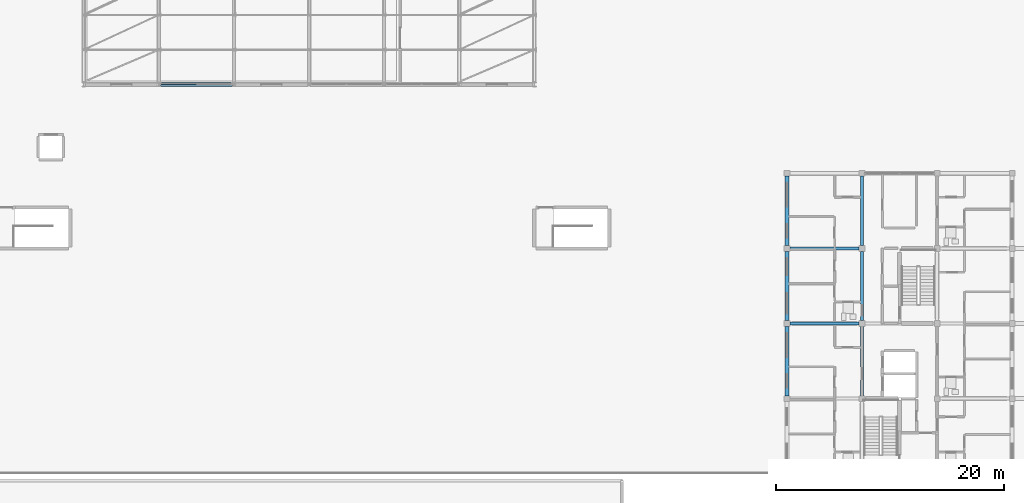
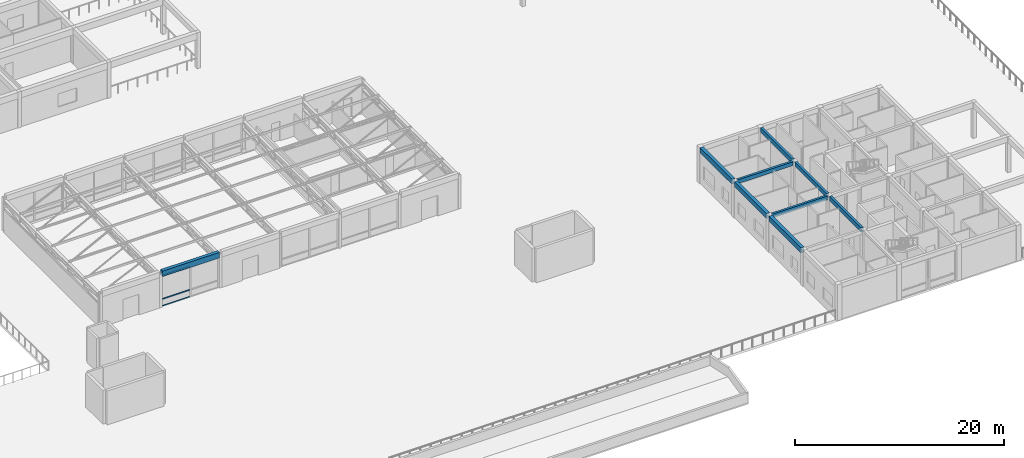
# One storey, part 21 of 92: 9 beams, 3 members, 1 element without a shape of its own.
"""IFC4 building model written with IfcOpenShell, lengths in metres."""

from ifc_helpers import new_model, si_unit, direction, frame, origin, origin_2d, place, context, subcontext, project, spatial, rectangle, hollow_rectangle, extrude, material, material_profile, profile_set, type_object, element, aggregate, save


model = new_model("IFC4")

# Units and contexts
model_context = context("Model", 3, precision=1e-05, world=origin(), true_north=direction((0.0, 1.0)))
body_context = subcontext(model_context, "Body", "Model", "MODEL_VIEW")
ifc_project = project(units=[si_unit("LENGTHUNIT", "METRE"), si_unit("AREAUNIT", "SQUARE_METRE"), si_unit("VOLUMEUNIT", "CUBIC_METRE"), si_unit("PLANEANGLEUNIT", "RADIAN"), si_unit("MASSUNIT", "GRAM", prefix="KILO")], contexts=[model_context])

# Site, building, storey
site_placement = place(None, origin())
site = spatial("IfcSite", under=ifc_project, at=site_placement, CompositionType="ELEMENT")
building_placement = place(site_placement, origin())
building = spatial("IfcBuilding", under=site, at=building_placement, Name="Kernevlak Ridge Housing Community", CompositionType="ELEMENT")
storey_placement = place(building_placement, frame((0.0, 0.0, 4.199951171875)))
storey = spatial("IfcBuildingStorey", under=building, at=storey_placement, Name="L01", CompositionType="ELEMENT", Elevation=4.199951171875)

# Beams
ifc_material_1 = material(Name="Concrete C35/45", Category="concrete")
ifc_material_profile_1 = material_profile(ifc_material_1, rectangle(XDim=0.35009765625, YDim=0.64990234375, at=origin_2d()), Name="RC 350x650")
ifc_profile_set_1 = profile_set([ifc_material_profile_1], Name="Concrete C35/45")
beam_type_1 = type_object("IfcBeamType", Name="B-02", PredefinedType="BEAM", material=ifc_profile_set_1)
beam_1_placement = place(storey_placement, frame((70.949951171875, 49.800048828125, 3.875), z_axis=(1.0, 0.0, 0.0), x_axis=(0.0, 1.0, 0.0)))
element("IfcBeam", 1, at=beam_1_placement, inside=storey, type_object=beam_type_1, Name="Beam B-02 L01 2408", PredefinedType="BEAM", context=body_context, shape_type="SweptSolid", body=[
    extrude(rectangle(XDim=0.35009765625, YDim=0.64990234375, at=origin_2d()), origin(), (0.0, 0.0, 1.0), 6.31005859375),
])
ifc_material_profile_2 = material_profile(ifc_material_1, rectangle(XDim=0.25, YDim=0.449951171875, at=origin_2d()), Name="RC 250x450")
ifc_profile_set_2 = profile_set([ifc_material_profile_2], Name="Concrete C35/45")
beam_type_2 = type_object("IfcBeamType", Name="B-04", PredefinedType="T_BEAM", material=ifc_profile_set_2)
for number, where, z_axis, x_axis, name in (
    (2, (126.25, 28.800048828125, 3.97509765625), (1.0, 0.0, 0.0), (0.0, 1.0, 0.0), "Beam B-04 L01 1038"),
    (3, (126.25, 35.39990234375, 3.97509765625), (1.0, 0.0, 0.0), (0.0, 1.0, 0.0), "Beam B-04 L01 1041"),
):
    element("IfcBeam", number, at=place(storey_placement, frame(where, z_axis=z_axis, x_axis=x_axis)), inside=storey, type_object=beam_type_2, Name=name, PredefinedType="T_BEAM", context=body_context, shape_type="SweptSolid", body=[
        extrude(rectangle(XDim=0.25, YDim=0.449951171875, at=origin_2d()), origin(), (0.0, 0.0, 1.0), 6.10009765625),
    ])
ifc_material_profile_3 = material_profile(ifc_material_1, rectangle(XDim=0.25, YDim=0.5, at=origin_2d()), Name="RC 250x500")
ifc_profile_set_3 = profile_set([ifc_material_profile_3], Name="Concrete C35/45")
beam_type_3 = type_object("IfcBeamType", Name="B-06", PredefinedType="T_BEAM", material=ifc_profile_set_3)
beam_2_placement = place(storey_placement, frame((132.60009765625, 22.449951171875, 3.949951171875), z_axis=(0.0, 1.0, 0.0), x_axis=(-1.0, 0.0, 0.0)))
element("IfcBeam", 4, at=beam_2_placement, inside=storey, type_object=beam_type_3, Name="Beam B-06 L01 1022", PredefinedType="T_BEAM", context=body_context, shape_type="SweptSolid", body=[
    extrude(rectangle(XDim=0.25, YDim=0.5, at=origin_2d()), origin(), (0.0, 0.0, 1.0), 6.10009765625),
])
beam_3_placement = place(storey_placement, frame((132.60009765625, 29.050048828125, 3.949951171875), z_axis=(0.0, 1.0, 0.0), x_axis=(-1.0, 0.0, 0.0)))
element("IfcBeam", 5, at=beam_3_placement, inside=storey, type_object=beam_type_3, Name="Beam B-06 L01 1023", PredefinedType="T_BEAM", context=body_context, shape_type="SweptSolid", body=[
    extrude(rectangle(XDim=0.25, YDim=0.5, at=origin_2d()), origin(), (0.0, 0.0, 1.0), 6.099853515625),
])
beam_4_placement = place(storey_placement, frame((132.60009765625, 35.64990234375, 3.949951171875), z_axis=(0.0, 1.0, 0.0), x_axis=(-1.0, 0.0, 0.0)))
element("IfcBeam", 6, at=beam_4_placement, inside=storey, type_object=beam_type_3, Name="Beam B-06 L01 1024", PredefinedType="T_BEAM", context=body_context, shape_type="SweptSolid", body=[
    extrude(rectangle(XDim=0.25, YDim=0.5, at=origin_2d()), origin(), (0.0, 0.0, 1.0), 6.10009765625),
])
ifc_material_profile_4 = material_profile(ifc_material_1, rectangle(XDim=0.35009765625, YDim=0.60009765625, at=origin_2d()), Name="RC 350x600")
ifc_profile_set_4 = profile_set([ifc_material_profile_4], Name="Concrete C35/45")
beam_type_4 = type_object("IfcBeamType", Name="SP-03", PredefinedType="SPANDREL", material=ifc_profile_set_4)
beam_5_placement = place(storey_placement, frame((126.0, 22.449951171875, 3.900146484375), z_axis=(0.0, 1.0, 0.0), x_axis=(-1.0, 0.0, 0.0)))
element("IfcBeam", 7, at=beam_5_placement, inside=storey, type_object=beam_type_4, Name="Beam SP-03 L01 1018", PredefinedType="SPANDREL", context=body_context, shape_type="SweptSolid", body=[
    extrude(rectangle(XDim=0.35009765625, YDim=0.60009765625, at=origin_2d()), origin(), (0.0, 0.0, 1.0), 6.10009765625),
])
beam_6_placement = place(storey_placement, frame((126.0, 29.050048828125, 3.900146484375), z_axis=(0.0, 1.0, 0.0), x_axis=(-1.0, 0.0, 0.0)))
element("IfcBeam", 8, at=beam_6_placement, inside=storey, type_object=beam_type_4, Name="Beam SP-03 L01 1019", PredefinedType="SPANDREL", context=body_context, shape_type="SweptSolid", body=[
    extrude(rectangle(XDim=0.35009765625, YDim=0.60009765625, at=origin_2d()), origin(), (0.0, 0.0, 1.0), 6.099853515625),
])
beam_7_placement = place(storey_placement, frame((126.0, 35.64990234375, 3.900146484375), z_axis=(0.0, 1.0, 0.0), x_axis=(-1.0, 0.0, 0.0)))
element("IfcBeam", 9, at=beam_7_placement, inside=storey, type_object=beam_type_4, Name="Beam SP-03 L01 1020", PredefinedType="SPANDREL", context=body_context, shape_type="SweptSolid", body=[
    extrude(rectangle(XDim=0.35009765625, YDim=0.60009765625, at=origin_2d()), origin(), (0.0, 0.0, 1.0), 6.10009765625),
])

# Curtain wall, members
ifc_material_2 = material(Name="Aluminium EN AW-6060 anodised and laminated glass", Category="aluminium")
curtain_wall_type = type_object("IfcCurtainWallType", Name="CW-07", PredefinedType="NOTDEFINED", material=ifc_material_2)
curtain_wall_placement = place(storey_placement, origin())
curtain_wall = element("IfcCurtainWall", 10, at=curtain_wall_placement, inside=storey, type_object=curtain_wall_type, Name="Curtain wall CW-07 CW-L01-176", PredefinedType="NOTDEFINED")
ifc_material_3 = material(Name="Aluminium EN AW-6060 anodised", Category="aluminium")
ifc_material_profile_5 = material_profile(ifc_material_3, hollow_rectangle(XDim=0.06494140625, YDim=0.139892578125, WallThickness=0.00390625, InnerFilletRadius=0.001953125, OuterFilletRadius=0.00390625, at=origin_2d()), Name="ALU 65x140x4")
ifc_profile_set_5 = profile_set([ifc_material_profile_5], Name="Aluminium EN AW-6060 anodised")
member_type = type_object("IfcMemberType", Name="TM-03", PredefinedType="USERDEFINED", material=ifc_profile_set_5)
member_1_placement = place(storey_placement, frame((71.014892578125, 49.800048828125, 0.032470703125), z_axis=(1.0, 0.0, 0.0), x_axis=(0.0, 1.0, 0.0)))
member_1 = element("IfcMember", 11, at=member_1_placement, type_object=member_type, Name="CW-07 transom 1.1", ObjectType="TRANSOM", PredefinedType="USERDEFINED", context=body_context, shape_type="SweptSolid", body=[
    extrude(hollow_rectangle(XDim=0.06494140625, YDim=0.139892578125, WallThickness=0.00390625, InnerFilletRadius=0.001953125, OuterFilletRadius=0.00390625, at=origin_2d()), origin(), (0.0, 0.0, 1.0), 3.0576171875),
])
member_2_placement = place(storey_placement, frame((71.014892578125, 49.800048828125, 0.85009765625), z_axis=(1.0, 0.0, 0.0), x_axis=(0.0, 1.0, 0.0)))
member_2 = element("IfcMember", 12, at=member_2_placement, type_object=member_type, Name="CW-07 transom 1.2", ObjectType="TRANSOM", PredefinedType="USERDEFINED", context=body_context, shape_type="SweptSolid", body=[
    extrude(hollow_rectangle(XDim=0.06494140625, YDim=0.139892578125, WallThickness=0.00390625, InnerFilletRadius=0.001953125, OuterFilletRadius=0.00390625, at=origin_2d()), origin(), (0.0, 0.0, 1.0), 3.0576171875),
])
member_3_placement = place(storey_placement, frame((71.014892578125, 49.800048828125, 3.567626953125), z_axis=(1.0, 0.0, 0.0), x_axis=(0.0, 1.0, 0.0)))
member_3 = element("IfcMember", 13, at=member_3_placement, type_object=member_type, Name="CW-07 transom 1.3", ObjectType="TRANSOM", PredefinedType="USERDEFINED", context=body_context, shape_type="SweptSolid", body=[
    extrude(hollow_rectangle(XDim=0.06494140625, YDim=0.139892578125, WallThickness=0.00390625, InnerFilletRadius=0.001953125, OuterFilletRadius=0.00390625, at=origin_2d()), origin(), (0.0, 0.0, 1.0), 3.0576171875),
])
aggregate(curtain_wall, [member_1, member_2, member_3])

save(model, "model.ifc")
